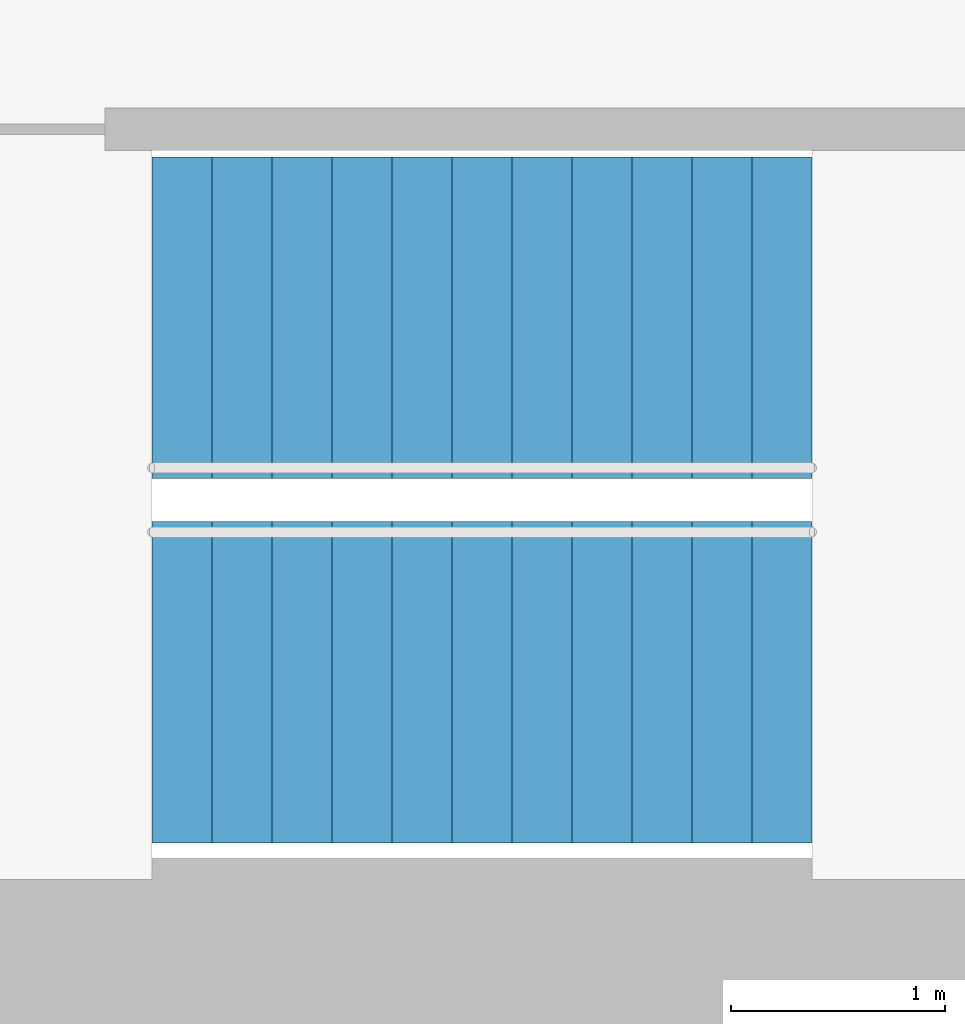
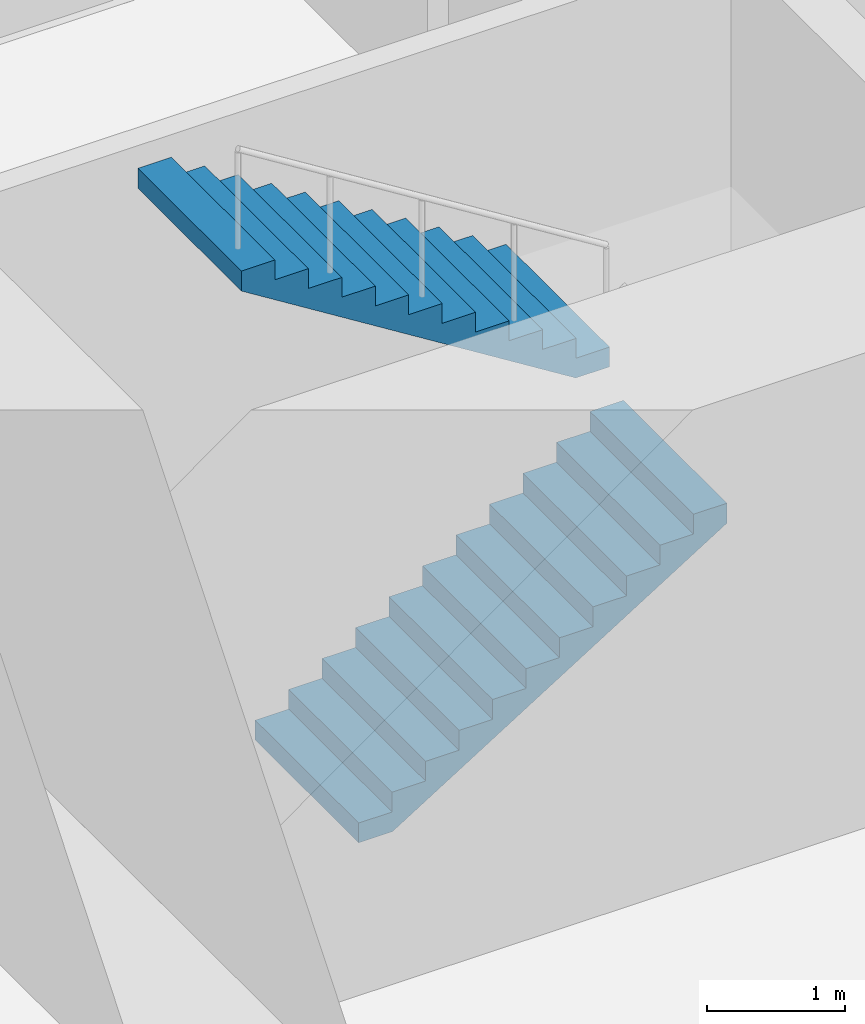
# One storey, part 15 of 17: 2 stair flights, 1 element without a shape of its own.
"""IFC4 building model written with IfcOpenShell, lengths in metres."""

from ifc_helpers import new_model, si_unit, direction, frame, origin, place, context, subcontext, project, spatial, triangles, material, type_object, element, aggregate, save


model = new_model("IFC4")

# Units and contexts
model_context = context("Model", 3, precision=1e-05, world=origin(), true_north=direction((0.0, 1.0)))
body_context = subcontext(model_context, "Body", "Model", "MODEL_VIEW")
ifc_project = project(units=[si_unit("LENGTHUNIT", "METRE"), si_unit("AREAUNIT", "SQUARE_METRE"), si_unit("VOLUMEUNIT", "CUBIC_METRE"), si_unit("PLANEANGLEUNIT", "RADIAN"), si_unit("MASSUNIT", "GRAM", prefix="KILO")], contexts=[model_context])

# Site, building, storey
site_placement = place(None, origin())
site = spatial("IfcSite", under=ifc_project, at=site_placement, CompositionType="ELEMENT")
building_placement = place(site_placement, origin())
building = spatial("IfcBuilding", under=site, at=building_placement, Name="Lantaw Convention Tower", CompositionType="ELEMENT")
storey_placement = place(building_placement, frame((0.0, 0.0, 155.199951171875)))
storey = spatial("IfcBuildingStorey", under=building, at=storey_placement, Name="L36", CompositionType="ELEMENT", Elevation=155.199951171875)

# Stair, stair flights
ifc_material = material(Name="Concrete C35/45", Category="concrete")
stair_type = type_object("IfcStairType", Name="Exit stair 1500 riser 175 in 2 flights", PredefinedType="HALF_TURN_STAIR", material=ifc_material)
stair_placement = place(storey_placement, origin())
stair = element("IfcStair", 1, at=stair_placement, inside=storey, type_object=stair_type, Name="Exit stair S1 L36", PredefinedType="HALF_TURN_STAIR")
stair_flight_type = type_object("IfcStairFlightType", Name="Stair flight 1500 riser 175", PredefinedType="STRAIGHT", material=ifc_material)
stair_flight_1_placement = place(storey_placement, frame((-10.580078125, -5.97998046875, 0.0), z_axis=(0.0, 0.0, 1.0), x_axis=(1.0, 0.0, 0.0)))
stair_flight_1 = element("IfcStairFlight", 2, at=stair_flight_1_placement, type_object=stair_flight_type, Name="S1 flight 1", NumberOfRisers=12, NumberOfTreads=11, PredefinedType="STRAIGHT", RiserHeight=0.175, TreadLength=0.28, context=body_context, shape_type="Tessellation", body=[
    triangles([(0.0, 0.75, 0.0), (0.0, 0.75, 0.175), (0.28, 0.75, 0.0), (0.28, 0.75, 0.175), (0.28, 0.75, 0.35), (0.28283517651771284, 0.75, 0.0), (0.28283517651771284, 0.75, 0.35), (0.56, 0.75, 0.17322801467642948), (0.56, 0.75, 0.35), (0.56, 0.75, 0.5249999999999999), (0.8400000000000001, 0.75, 0.34822801467642944), (0.8400000000000001, 0.75, 0.5249999999999999), (0.8400000000000001, 0.75, 0.7), (1.12, 0.75, 0.5232280146764294), (1.12, 0.75, 0.7), (1.12, 0.75, 0.875), (1.4000000000000001, 0.75, 0.6982280146764295), (1.4000000000000001, 0.75, 0.875), (1.4000000000000001, 0.75, 1.0499999999999998), (1.6800000000000002, 0.75, 0.8732280146764294), (1.6800000000000002, 0.75, 1.0499999999999998), (1.6800000000000002, 0.75, 1.2249999999999999), (1.9600000000000002, 0.75, 1.0482280146764293), (1.9600000000000002, 0.75, 1.2249999999999999), (1.9600000000000002, 0.75, 1.4), (2.24, 0.75, 1.2232280146764294), (2.24, 0.75, 1.4), (2.24, 0.75, 1.575), (2.5200000000000005, 0.75, 1.3982280146764294), (2.5200000000000005, 0.75, 1.575), (2.5200000000000005, 0.75, 1.75), (2.8000000000000003, 0.75, 1.5732280146764293), (2.8000000000000003, 0.75, 1.75), (2.8000000000000003, 0.75, 1.9249999999999998), (3.08, 0.75, 1.7482280146764293), (3.08, 0.75, 1.9249999999999998), (0.0, -0.75, 0.0), (0.0, -0.75, 0.175), (0.28, -0.75, 0.0), (0.28, -0.75, 0.175), (0.28, -0.75, 0.35), (0.28283517651771284, -0.75, 0.0), (0.28283517651771284, -0.75, 0.35), (0.56, -0.75, 0.17322801467642948), (0.56, -0.75, 0.35), (0.56, -0.75, 0.5249999999999999), (0.8400000000000001, -0.75, 0.34822801467642944), (0.8400000000000001, -0.75, 0.5249999999999999), (0.8400000000000001, -0.75, 0.7), (1.12, -0.75, 0.5232280146764294), (1.12, -0.75, 0.7), (1.12, -0.75, 0.875), (1.4000000000000001, -0.75, 0.6982280146764295), (1.4000000000000001, -0.75, 0.875), (1.4000000000000001, -0.75, 1.0499999999999998), (1.6800000000000002, -0.75, 0.8732280146764294), (1.6800000000000002, -0.75, 1.0499999999999998), (1.6800000000000002, -0.75, 1.2249999999999999), (1.9600000000000002, -0.75, 1.0482280146764293), (1.9600000000000002, -0.75, 1.2249999999999999), (1.9600000000000002, -0.75, 1.4), (2.24, -0.75, 1.2232280146764294), (2.24, -0.75, 1.4), (2.24, -0.75, 1.575), (2.5200000000000005, -0.75, 1.3982280146764294), (2.5200000000000005, -0.75, 1.575), (2.5200000000000005, -0.75, 1.75), (2.8000000000000003, -0.75, 1.5732280146764293), (2.8000000000000003, -0.75, 1.75), (2.8000000000000003, -0.75, 1.9249999999999998), (3.08, -0.75, 1.7482280146764293), (3.08, -0.75, 1.9249999999999998), (0.0, 0.15000000000000002, 0.175), (0.0, 0.15000000000000002, 0.0), (0.0, 0.0, 0.175), (0.0, 0.0, 0.0), (0.0, -0.15000000000000002, 0.175), (0.0, -0.15000000000000002, 0.0), (0.28, 0.15000000000000002, 0.35), (0.28, 0.15000000000000002, 0.175), (0.28, 0.0, 0.35), (0.28, 0.0, 0.175), (0.28, -0.15000000000000002, 0.35), (0.28, -0.15000000000000002, 0.175), (0.56, 0.15000000000000002, 0.5249999999999999), (0.56, 0.15000000000000002, 0.35), (0.56, 0.0, 0.5249999999999999), (0.56, 0.0, 0.35), (0.56, -0.15000000000000002, 0.5249999999999999), (0.56, -0.15000000000000002, 0.35), (0.8400000000000001, 0.15000000000000002, 0.7), (0.8400000000000001, 0.15000000000000002, 0.5249999999999999), (0.8400000000000001, 0.0, 0.7), (0.8400000000000001, 0.0, 0.5249999999999999), (0.8400000000000001, -0.15000000000000002, 0.7), (0.8400000000000001, -0.15000000000000002, 0.5249999999999999), (1.12, 0.15000000000000002, 0.875), (1.12, 0.15000000000000002, 0.7), (1.12, 0.0, 0.875), (1.12, 0.0, 0.7), (1.12, -0.15000000000000002, 0.875), (1.12, -0.15000000000000002, 0.7), (1.4000000000000001, 0.15000000000000002, 1.0499999999999998), (1.4000000000000001, 0.15000000000000002, 0.875), (1.4000000000000001, 0.0, 1.0499999999999998), (1.4000000000000001, 0.0, 0.875), (1.4000000000000001, -0.15000000000000002, 1.0499999999999998), (1.4000000000000001, -0.15000000000000002, 0.875), (1.6800000000000002, 0.15000000000000002, 1.2249999999999999), (1.6800000000000002, 0.15000000000000002, 1.0499999999999998), (1.6800000000000002, 0.0, 1.2249999999999999), (1.6800000000000002, 0.0, 1.0499999999999998), (1.6800000000000002, -0.15000000000000002, 1.2249999999999999), (1.6800000000000002, -0.15000000000000002, 1.0499999999999998), (1.9600000000000002, 0.15000000000000002, 1.4), (1.9600000000000002, 0.15000000000000002, 1.2249999999999999), (1.9600000000000002, 0.0, 1.4), (1.9600000000000002, 0.0, 1.2249999999999999), (1.9600000000000002, -0.15000000000000002, 1.4), (1.9600000000000002, -0.15000000000000002, 1.2249999999999999), (2.24, 0.15000000000000002, 1.575), (2.24, 0.15000000000000002, 1.4), (2.24, 0.0, 1.575), (2.24, 0.0, 1.4), (2.24, -0.15000000000000002, 1.575), (2.24, -0.15000000000000002, 1.4), (2.5200000000000005, 0.15000000000000002, 1.75), (2.5200000000000005, 0.15000000000000002, 1.575), (2.5200000000000005, 0.0, 1.75), (2.5200000000000005, 0.0, 1.575), (2.5200000000000005, -0.15000000000000002, 1.75), (2.5200000000000005, -0.15000000000000002, 1.575), (2.8000000000000003, 0.15000000000000002, 1.9249999999999998), (2.8000000000000003, 0.15000000000000002, 1.75), (2.8000000000000003, 0.0, 1.9249999999999998), (2.8000000000000003, 0.0, 1.75), (2.8000000000000003, -0.15000000000000002, 1.9249999999999998), (2.8000000000000003, -0.15000000000000002, 1.75), (0.28283517651771284, 0.15000000000000002, 0.35), (0.28283517651771284, 0.0, 0.35), (0.28283517651771284, -0.15000000000000002, 0.35), (3.08, 0.15000000000000002, 1.9249999999999998), (3.08, 0.0, 1.9249999999999998), (3.08, -0.15000000000000002, 1.9249999999999998), (3.08, 0.15000000000000002, 1.7482280146764293), (3.08, 0.0, 1.7482280146764293), (3.08, -0.15000000000000002, 1.7482280146764293), (2.8000000000000003, 0.15000000000000002, 1.5732280146764293), (2.8000000000000003, 0.0, 1.5732280146764293), (2.8000000000000003, -0.15000000000000002, 1.5732280146764293), (2.5200000000000005, 0.15000000000000002, 1.3982280146764294), (2.5200000000000005, 0.0, 1.3982280146764294), (2.5200000000000005, -0.15000000000000002, 1.3982280146764294), (2.24, 0.15000000000000002, 1.2232280146764294), (2.24, 0.0, 1.2232280146764294), (2.24, -0.15000000000000002, 1.2232280146764294), (1.9600000000000002, 0.15000000000000002, 1.0482280146764293), (1.9600000000000002, 0.0, 1.0482280146764293), (1.9600000000000002, -0.15000000000000002, 1.0482280146764293), (1.6800000000000002, 0.15000000000000002, 0.8732280146764294), (1.6800000000000002, 0.0, 0.8732280146764294), (1.6800000000000002, -0.15000000000000002, 0.8732280146764294), (1.4000000000000001, 0.15000000000000002, 0.6982280146764295), (1.4000000000000001, 0.0, 0.6982280146764295), (1.4000000000000001, -0.15000000000000002, 0.6982280146764295), (1.12, 0.15000000000000002, 0.5232280146764294), (1.12, 0.0, 0.5232280146764294), (1.12, -0.15000000000000002, 0.5232280146764294), (0.8400000000000001, 0.15000000000000002, 0.34822801467642944), (0.8400000000000001, 0.0, 0.34822801467642944), (0.8400000000000001, -0.15000000000000002, 0.34822801467642944), (0.56, 0.15000000000000002, 0.17322801467642948), (0.56, 0.0, 0.17322801467642948), (0.56, -0.15000000000000002, 0.17322801467642948), (0.28283517651771284, 0.15000000000000002, 0.0), (0.28283517651771284, 0.0, 0.0), (0.28283517651771284, -0.15000000000000002, 0.0), (0.28, 0.15000000000000002, 0.0), (0.28, 0.0, 0.0), (0.28, -0.15000000000000002, 0.0)], [[1, 4, 3], [1, 2, 4], [3, 4, 6], [4, 7, 6], [4, 5, 7], [6, 9, 8], [6, 7, 9], [8, 9, 11], [9, 12, 11], [9, 10, 12], [11, 12, 14], [12, 15, 14], [12, 13, 15], [14, 15, 17], [15, 18, 17], [15, 16, 18], [17, 18, 20], [18, 21, 20], [18, 19, 21], [20, 21, 23], [21, 24, 23], [21, 22, 24], [23, 24, 26], [24, 27, 26], [24, 25, 27], [26, 27, 29], [27, 30, 29], [27, 28, 30], [29, 30, 32], [30, 33, 32], [30, 31, 33], [32, 33, 35], [33, 36, 35], [33, 34, 36], [37, 39, 40], [37, 40, 38], [39, 42, 40], [40, 42, 43], [40, 43, 41], [42, 44, 45], [42, 45, 43], [44, 47, 45], [45, 47, 48], [45, 48, 46], [47, 50, 48], [48, 50, 51], [48, 51, 49], [50, 53, 51], [51, 53, 54], [51, 54, 52], [53, 56, 54], [54, 56, 57], [54, 57, 55], [56, 59, 57], [57, 59, 60], [57, 60, 58], [59, 62, 60], [60, 62, 63], [60, 63, 61], [62, 65, 63], [63, 65, 66], [63, 66, 64], [65, 68, 66], [66, 68, 69], [66, 69, 67], [68, 71, 69], [69, 71, 72], [69, 72, 70], [1, 73, 2], [1, 74, 73], [74, 75, 73], [74, 76, 75], [76, 77, 75], [76, 78, 77], [78, 38, 77], [78, 37, 38], [4, 79, 5], [4, 80, 79], [80, 81, 79], [80, 82, 81], [82, 83, 81], [82, 84, 83], [84, 41, 83], [84, 40, 41], [9, 85, 10], [9, 86, 85], [86, 87, 85], [86, 88, 87], [88, 89, 87], [88, 90, 89], [90, 46, 89], [90, 45, 46], [12, 91, 13], [12, 92, 91], [92, 93, 91], [92, 94, 93], [94, 95, 93], [94, 96, 95], [96, 49, 95], [96, 48, 49], [15, 97, 16], [15, 98, 97], [98, 99, 97], [98, 100, 99], [100, 101, 99], [100, 102, 101], [102, 52, 101], [102, 51, 52], [18, 103, 19], [18, 104, 103], [104, 105, 103], [104, 106, 105], [106, 107, 105], [106, 108, 107], [108, 55, 107], [108, 54, 55], [21, 109, 22], [21, 110, 109], [110, 111, 109], [110, 112, 111], [112, 113, 111], [112, 114, 113], [114, 58, 113], [114, 57, 58], [24, 115, 25], [24, 116, 115], [116, 117, 115], [116, 118, 117], [118, 119, 117], [118, 120, 119], [120, 61, 119], [120, 60, 61], [27, 121, 28], [27, 122, 121], [122, 123, 121], [122, 124, 123], [124, 125, 123], [124, 126, 125], [126, 64, 125], [126, 63, 64], [30, 127, 31], [30, 128, 127], [128, 129, 127], [128, 130, 129], [130, 131, 129], [130, 132, 131], [132, 67, 131], [132, 66, 67], [33, 133, 34], [33, 134, 133], [134, 135, 133], [134, 136, 135], [136, 137, 135], [136, 138, 137], [138, 70, 137], [138, 69, 70], [2, 80, 4], [2, 73, 80], [73, 82, 80], [73, 75, 82], [75, 84, 82], [75, 77, 84], [77, 40, 84], [77, 38, 40], [5, 139, 7], [5, 79, 139], [79, 140, 139], [79, 81, 140], [81, 141, 140], [81, 83, 141], [83, 43, 141], [83, 41, 43], [7, 86, 9], [7, 139, 86], [139, 88, 86], [139, 140, 88], [140, 90, 88], [140, 141, 90], [141, 45, 90], [141, 43, 45], [10, 92, 12], [10, 85, 92], [85, 94, 92], [85, 87, 94], [87, 96, 94], [87, 89, 96], [89, 48, 96], [89, 46, 48], [13, 98, 15], [13, 91, 98], [91, 100, 98], [91, 93, 100], [93, 102, 100], [93, 95, 102], [95, 51, 102], [95, 49, 51], [16, 104, 18], [16, 97, 104], [97, 106, 104], [97, 99, 106], [99, 108, 106], [99, 101, 108], [101, 54, 108], [101, 52, 54], [19, 110, 21], [19, 103, 110], [103, 112, 110], [103, 105, 112], [105, 114, 112], [105, 107, 114], [107, 57, 114], [107, 55, 57], [22, 116, 24], [22, 109, 116], [109, 118, 116], [109, 111, 118], [111, 120, 118], [111, 113, 120], [113, 60, 120], [113, 58, 60], [25, 122, 27], [25, 115, 122], [115, 124, 122], [115, 117, 124], [117, 126, 124], [117, 119, 126], [119, 63, 126], [119, 61, 63], [28, 128, 30], [28, 121, 128], [121, 130, 128], [121, 123, 130], [123, 132, 130], [123, 125, 132], [125, 66, 132], [125, 64, 66], [31, 134, 33], [31, 127, 134], [127, 136, 134], [127, 129, 136], [129, 138, 136], [129, 131, 138], [131, 69, 138], [131, 67, 69], [34, 142, 36], [34, 133, 142], [133, 143, 142], [133, 135, 143], [135, 144, 143], [135, 137, 144], [137, 72, 144], [137, 70, 72], [36, 145, 35], [36, 142, 145], [142, 146, 145], [142, 143, 146], [143, 147, 146], [143, 144, 147], [144, 71, 147], [144, 72, 71], [35, 148, 32], [35, 145, 148], [145, 149, 148], [145, 146, 149], [146, 150, 149], [146, 147, 150], [147, 68, 150], [147, 71, 68], [32, 151, 29], [32, 148, 151], [148, 152, 151], [148, 149, 152], [149, 153, 152], [149, 150, 153], [150, 65, 153], [150, 68, 65], [29, 154, 26], [29, 151, 154], [151, 155, 154], [151, 152, 155], [152, 156, 155], [152, 153, 156], [153, 62, 156], [153, 65, 62], [26, 157, 23], [26, 154, 157], [154, 158, 157], [154, 155, 158], [155, 159, 158], [155, 156, 159], [156, 59, 159], [156, 62, 59], [23, 160, 20], [23, 157, 160], [157, 161, 160], [157, 158, 161], [158, 162, 161], [158, 159, 162], [159, 56, 162], [159, 59, 56], [20, 163, 17], [20, 160, 163], [160, 164, 163], [160, 161, 164], [161, 165, 164], [161, 162, 165], [162, 53, 165], [162, 56, 53], [17, 166, 14], [17, 163, 166], [163, 167, 166], [163, 164, 167], [164, 168, 167], [164, 165, 168], [165, 50, 168], [165, 53, 50], [14, 169, 11], [14, 166, 169], [166, 170, 169], [166, 167, 170], [167, 171, 170], [167, 168, 171], [168, 47, 171], [168, 50, 47], [11, 172, 8], [11, 169, 172], [169, 173, 172], [169, 170, 173], [170, 174, 173], [170, 171, 174], [171, 44, 174], [171, 47, 44], [8, 175, 6], [8, 172, 175], [172, 176, 175], [172, 173, 176], [173, 177, 176], [173, 174, 177], [174, 42, 177], [174, 44, 42], [6, 178, 3], [6, 175, 178], [175, 179, 178], [175, 176, 179], [176, 180, 179], [176, 177, 180], [177, 39, 180], [177, 42, 39], [3, 74, 1], [3, 178, 74], [178, 76, 74], [178, 179, 76], [179, 78, 76], [179, 180, 78], [180, 37, 78], [180, 39, 37]], closed=True),
])
stair_flight_2_placement = place(storey_placement, frame((-7.5, -4.280029296875, 2.10009765625), z_axis=(0.0, 0.0, 1.0), x_axis=(-1.0, 0.0, 0.0)))
stair_flight_2 = element("IfcStairFlight", 3, at=stair_flight_2_placement, type_object=stair_flight_type, Name="S1 flight 2", NumberOfRisers=12, NumberOfTreads=11, PredefinedType="STRAIGHT", RiserHeight=0.175, TreadLength=0.28, context=body_context, shape_type="Tessellation", body=[
    triangles([(0.0, 0.75, 0.0), (0.0, 0.75, 0.175), (0.28, 0.75, 0.0), (0.28, 0.75, 0.175), (0.28, 0.75, 0.35), (0.28283517651771284, 0.75, 0.0), (0.28283517651771284, 0.75, 0.35), (0.56, 0.75, 0.17322801467642948), (0.56, 0.75, 0.35), (0.56, 0.75, 0.5249999999999999), (0.8400000000000001, 0.75, 0.34822801467642944), (0.8400000000000001, 0.75, 0.5249999999999999), (0.8400000000000001, 0.75, 0.7), (1.12, 0.75, 0.5232280146764294), (1.12, 0.75, 0.7), (1.12, 0.75, 0.875), (1.4000000000000001, 0.75, 0.6982280146764295), (1.4000000000000001, 0.75, 0.875), (1.4000000000000001, 0.75, 1.0499999999999998), (1.6800000000000002, 0.75, 0.8732280146764294), (1.6800000000000002, 0.75, 1.0499999999999998), (1.6800000000000002, 0.75, 1.2249999999999999), (1.9600000000000002, 0.75, 1.0482280146764293), (1.9600000000000002, 0.75, 1.2249999999999999), (1.9600000000000002, 0.75, 1.4), (2.24, 0.75, 1.2232280146764294), (2.24, 0.75, 1.4), (2.24, 0.75, 1.575), (2.5200000000000005, 0.75, 1.3982280146764294), (2.5200000000000005, 0.75, 1.575), (2.5200000000000005, 0.75, 1.75), (2.8000000000000003, 0.75, 1.5732280146764293), (2.8000000000000003, 0.75, 1.75), (2.8000000000000003, 0.75, 1.9249999999999998), (3.08, 0.75, 1.7482280146764293), (3.08, 0.75, 1.9249999999999998), (0.0, -0.75, 0.0), (0.0, -0.75, 0.175), (0.28, -0.75, 0.0), (0.28, -0.75, 0.175), (0.28, -0.75, 0.35), (0.28283517651771284, -0.75, 0.0), (0.28283517651771284, -0.75, 0.35), (0.56, -0.75, 0.17322801467642948), (0.56, -0.75, 0.35), (0.56, -0.75, 0.5249999999999999), (0.8400000000000001, -0.75, 0.34822801467642944), (0.8400000000000001, -0.75, 0.5249999999999999), (0.8400000000000001, -0.75, 0.7), (1.12, -0.75, 0.5232280146764294), (1.12, -0.75, 0.7), (1.12, -0.75, 0.875), (1.4000000000000001, -0.75, 0.6982280146764295), (1.4000000000000001, -0.75, 0.875), (1.4000000000000001, -0.75, 1.0499999999999998), (1.6800000000000002, -0.75, 0.8732280146764294), (1.6800000000000002, -0.75, 1.0499999999999998), (1.6800000000000002, -0.75, 1.2249999999999999), (1.9600000000000002, -0.75, 1.0482280146764293), (1.9600000000000002, -0.75, 1.2249999999999999), (1.9600000000000002, -0.75, 1.4), (2.24, -0.75, 1.2232280146764294), (2.24, -0.75, 1.4), (2.24, -0.75, 1.575), (2.5200000000000005, -0.75, 1.3982280146764294), (2.5200000000000005, -0.75, 1.575), (2.5200000000000005, -0.75, 1.75), (2.8000000000000003, -0.75, 1.5732280146764293), (2.8000000000000003, -0.75, 1.75), (2.8000000000000003, -0.75, 1.9249999999999998), (3.08, -0.75, 1.7482280146764293), (3.08, -0.75, 1.9249999999999998), (0.0, 0.15000000000000002, 0.175), (0.0, 0.15000000000000002, 0.0), (0.0, 0.0, 0.175), (0.0, 0.0, 0.0), (0.0, -0.15000000000000002, 0.175), (0.0, -0.15000000000000002, 0.0), (0.28, 0.15000000000000002, 0.35), (0.28, 0.15000000000000002, 0.175), (0.28, 0.0, 0.35), (0.28, 0.0, 0.175), (0.28, -0.15000000000000002, 0.35), (0.28, -0.15000000000000002, 0.175), (0.56, 0.15000000000000002, 0.5249999999999999), (0.56, 0.15000000000000002, 0.35), (0.56, 0.0, 0.5249999999999999), (0.56, 0.0, 0.35), (0.56, -0.15000000000000002, 0.5249999999999999), (0.56, -0.15000000000000002, 0.35), (0.8400000000000001, 0.15000000000000002, 0.7), (0.8400000000000001, 0.15000000000000002, 0.5249999999999999), (0.8400000000000001, 0.0, 0.7), (0.8400000000000001, 0.0, 0.5249999999999999), (0.8400000000000001, -0.15000000000000002, 0.7), (0.8400000000000001, -0.15000000000000002, 0.5249999999999999), (1.12, 0.15000000000000002, 0.875), (1.12, 0.15000000000000002, 0.7), (1.12, 0.0, 0.875), (1.12, 0.0, 0.7), (1.12, -0.15000000000000002, 0.875), (1.12, -0.15000000000000002, 0.7), (1.4000000000000001, 0.15000000000000002, 1.0499999999999998), (1.4000000000000001, 0.15000000000000002, 0.875), (1.4000000000000001, 0.0, 1.0499999999999998), (1.4000000000000001, 0.0, 0.875), (1.4000000000000001, -0.15000000000000002, 1.0499999999999998), (1.4000000000000001, -0.15000000000000002, 0.875), (1.6800000000000002, 0.15000000000000002, 1.2249999999999999), (1.6800000000000002, 0.15000000000000002, 1.0499999999999998), (1.6800000000000002, 0.0, 1.2249999999999999), (1.6800000000000002, 0.0, 1.0499999999999998), (1.6800000000000002, -0.15000000000000002, 1.2249999999999999), (1.6800000000000002, -0.15000000000000002, 1.0499999999999998), (1.9600000000000002, 0.15000000000000002, 1.4), (1.9600000000000002, 0.15000000000000002, 1.2249999999999999), (1.9600000000000002, 0.0, 1.4), (1.9600000000000002, 0.0, 1.2249999999999999), (1.9600000000000002, -0.15000000000000002, 1.4), (1.9600000000000002, -0.15000000000000002, 1.2249999999999999), (2.24, 0.15000000000000002, 1.575), (2.24, 0.15000000000000002, 1.4), (2.24, 0.0, 1.575), (2.24, 0.0, 1.4), (2.24, -0.15000000000000002, 1.575), (2.24, -0.15000000000000002, 1.4), (2.5200000000000005, 0.15000000000000002, 1.75), (2.5200000000000005, 0.15000000000000002, 1.575), (2.5200000000000005, 0.0, 1.75), (2.5200000000000005, 0.0, 1.575), (2.5200000000000005, -0.15000000000000002, 1.75), (2.5200000000000005, -0.15000000000000002, 1.575), (2.8000000000000003, 0.15000000000000002, 1.9249999999999998), (2.8000000000000003, 0.15000000000000002, 1.75), (2.8000000000000003, 0.0, 1.9249999999999998), (2.8000000000000003, 0.0, 1.75), (2.8000000000000003, -0.15000000000000002, 1.9249999999999998), (2.8000000000000003, -0.15000000000000002, 1.75), (0.28283517651771284, 0.15000000000000002, 0.35), (0.28283517651771284, 0.0, 0.35), (0.28283517651771284, -0.15000000000000002, 0.35), (3.08, 0.15000000000000002, 1.9249999999999998), (3.08, 0.0, 1.9249999999999998), (3.08, -0.15000000000000002, 1.9249999999999998), (3.08, 0.15000000000000002, 1.7482280146764293), (3.08, 0.0, 1.7482280146764293), (3.08, -0.15000000000000002, 1.7482280146764293), (2.8000000000000003, 0.15000000000000002, 1.5732280146764293), (2.8000000000000003, 0.0, 1.5732280146764293), (2.8000000000000003, -0.15000000000000002, 1.5732280146764293), (2.5200000000000005, 0.15000000000000002, 1.3982280146764294), (2.5200000000000005, 0.0, 1.3982280146764294), (2.5200000000000005, -0.15000000000000002, 1.3982280146764294), (2.24, 0.15000000000000002, 1.2232280146764294), (2.24, 0.0, 1.2232280146764294), (2.24, -0.15000000000000002, 1.2232280146764294), (1.9600000000000002, 0.15000000000000002, 1.0482280146764293), (1.9600000000000002, 0.0, 1.0482280146764293), (1.9600000000000002, -0.15000000000000002, 1.0482280146764293), (1.6800000000000002, 0.15000000000000002, 0.8732280146764294), (1.6800000000000002, 0.0, 0.8732280146764294), (1.6800000000000002, -0.15000000000000002, 0.8732280146764294), (1.4000000000000001, 0.15000000000000002, 0.6982280146764295), (1.4000000000000001, 0.0, 0.6982280146764295), (1.4000000000000001, -0.15000000000000002, 0.6982280146764295), (1.12, 0.15000000000000002, 0.5232280146764294), (1.12, 0.0, 0.5232280146764294), (1.12, -0.15000000000000002, 0.5232280146764294), (0.8400000000000001, 0.15000000000000002, 0.34822801467642944), (0.8400000000000001, 0.0, 0.34822801467642944), (0.8400000000000001, -0.15000000000000002, 0.34822801467642944), (0.56, 0.15000000000000002, 0.17322801467642948), (0.56, 0.0, 0.17322801467642948), (0.56, -0.15000000000000002, 0.17322801467642948), (0.28283517651771284, 0.15000000000000002, 0.0), (0.28283517651771284, 0.0, 0.0), (0.28283517651771284, -0.15000000000000002, 0.0), (0.28, 0.15000000000000002, 0.0), (0.28, 0.0, 0.0), (0.28, -0.15000000000000002, 0.0)], [[1, 4, 3], [1, 2, 4], [3, 4, 6], [4, 7, 6], [4, 5, 7], [6, 9, 8], [6, 7, 9], [8, 9, 11], [9, 12, 11], [9, 10, 12], [11, 12, 14], [12, 15, 14], [12, 13, 15], [14, 15, 17], [15, 18, 17], [15, 16, 18], [17, 18, 20], [18, 21, 20], [18, 19, 21], [20, 21, 23], [21, 24, 23], [21, 22, 24], [23, 24, 26], [24, 27, 26], [24, 25, 27], [26, 27, 29], [27, 30, 29], [27, 28, 30], [29, 30, 32], [30, 33, 32], [30, 31, 33], [32, 33, 35], [33, 36, 35], [33, 34, 36], [37, 39, 40], [37, 40, 38], [39, 42, 40], [40, 42, 43], [40, 43, 41], [42, 44, 45], [42, 45, 43], [44, 47, 45], [45, 47, 48], [45, 48, 46], [47, 50, 48], [48, 50, 51], [48, 51, 49], [50, 53, 51], [51, 53, 54], [51, 54, 52], [53, 56, 54], [54, 56, 57], [54, 57, 55], [56, 59, 57], [57, 59, 60], [57, 60, 58], [59, 62, 60], [60, 62, 63], [60, 63, 61], [62, 65, 63], [63, 65, 66], [63, 66, 64], [65, 68, 66], [66, 68, 69], [66, 69, 67], [68, 71, 69], [69, 71, 72], [69, 72, 70], [1, 73, 2], [1, 74, 73], [74, 75, 73], [74, 76, 75], [76, 77, 75], [76, 78, 77], [78, 38, 77], [78, 37, 38], [4, 79, 5], [4, 80, 79], [80, 81, 79], [80, 82, 81], [82, 83, 81], [82, 84, 83], [84, 41, 83], [84, 40, 41], [9, 85, 10], [9, 86, 85], [86, 87, 85], [86, 88, 87], [88, 89, 87], [88, 90, 89], [90, 46, 89], [90, 45, 46], [12, 91, 13], [12, 92, 91], [92, 93, 91], [92, 94, 93], [94, 95, 93], [94, 96, 95], [96, 49, 95], [96, 48, 49], [15, 97, 16], [15, 98, 97], [98, 99, 97], [98, 100, 99], [100, 101, 99], [100, 102, 101], [102, 52, 101], [102, 51, 52], [18, 103, 19], [18, 104, 103], [104, 105, 103], [104, 106, 105], [106, 107, 105], [106, 108, 107], [108, 55, 107], [108, 54, 55], [21, 109, 22], [21, 110, 109], [110, 111, 109], [110, 112, 111], [112, 113, 111], [112, 114, 113], [114, 58, 113], [114, 57, 58], [24, 115, 25], [24, 116, 115], [116, 117, 115], [116, 118, 117], [118, 119, 117], [118, 120, 119], [120, 61, 119], [120, 60, 61], [27, 121, 28], [27, 122, 121], [122, 123, 121], [122, 124, 123], [124, 125, 123], [124, 126, 125], [126, 64, 125], [126, 63, 64], [30, 127, 31], [30, 128, 127], [128, 129, 127], [128, 130, 129], [130, 131, 129], [130, 132, 131], [132, 67, 131], [132, 66, 67], [33, 133, 34], [33, 134, 133], [134, 135, 133], [134, 136, 135], [136, 137, 135], [136, 138, 137], [138, 70, 137], [138, 69, 70], [2, 80, 4], [2, 73, 80], [73, 82, 80], [73, 75, 82], [75, 84, 82], [75, 77, 84], [77, 40, 84], [77, 38, 40], [5, 139, 7], [5, 79, 139], [79, 140, 139], [79, 81, 140], [81, 141, 140], [81, 83, 141], [83, 43, 141], [83, 41, 43], [7, 86, 9], [7, 139, 86], [139, 88, 86], [139, 140, 88], [140, 90, 88], [140, 141, 90], [141, 45, 90], [141, 43, 45], [10, 92, 12], [10, 85, 92], [85, 94, 92], [85, 87, 94], [87, 96, 94], [87, 89, 96], [89, 48, 96], [89, 46, 48], [13, 98, 15], [13, 91, 98], [91, 100, 98], [91, 93, 100], [93, 102, 100], [93, 95, 102], [95, 51, 102], [95, 49, 51], [16, 104, 18], [16, 97, 104], [97, 106, 104], [97, 99, 106], [99, 108, 106], [99, 101, 108], [101, 54, 108], [101, 52, 54], [19, 110, 21], [19, 103, 110], [103, 112, 110], [103, 105, 112], [105, 114, 112], [105, 107, 114], [107, 57, 114], [107, 55, 57], [22, 116, 24], [22, 109, 116], [109, 118, 116], [109, 111, 118], [111, 120, 118], [111, 113, 120], [113, 60, 120], [113, 58, 60], [25, 122, 27], [25, 115, 122], [115, 124, 122], [115, 117, 124], [117, 126, 124], [117, 119, 126], [119, 63, 126], [119, 61, 63], [28, 128, 30], [28, 121, 128], [121, 130, 128], [121, 123, 130], [123, 132, 130], [123, 125, 132], [125, 66, 132], [125, 64, 66], [31, 134, 33], [31, 127, 134], [127, 136, 134], [127, 129, 136], [129, 138, 136], [129, 131, 138], [131, 69, 138], [131, 67, 69], [34, 142, 36], [34, 133, 142], [133, 143, 142], [133, 135, 143], [135, 144, 143], [135, 137, 144], [137, 72, 144], [137, 70, 72], [36, 145, 35], [36, 142, 145], [142, 146, 145], [142, 143, 146], [143, 147, 146], [143, 144, 147], [144, 71, 147], [144, 72, 71], [35, 148, 32], [35, 145, 148], [145, 149, 148], [145, 146, 149], [146, 150, 149], [146, 147, 150], [147, 68, 150], [147, 71, 68], [32, 151, 29], [32, 148, 151], [148, 152, 151], [148, 149, 152], [149, 153, 152], [149, 150, 153], [150, 65, 153], [150, 68, 65], [29, 154, 26], [29, 151, 154], [151, 155, 154], [151, 152, 155], [152, 156, 155], [152, 153, 156], [153, 62, 156], [153, 65, 62], [26, 157, 23], [26, 154, 157], [154, 158, 157], [154, 155, 158], [155, 159, 158], [155, 156, 159], [156, 59, 159], [156, 62, 59], [23, 160, 20], [23, 157, 160], [157, 161, 160], [157, 158, 161], [158, 162, 161], [158, 159, 162], [159, 56, 162], [159, 59, 56], [20, 163, 17], [20, 160, 163], [160, 164, 163], [160, 161, 164], [161, 165, 164], [161, 162, 165], [162, 53, 165], [162, 56, 53], [17, 166, 14], [17, 163, 166], [163, 167, 166], [163, 164, 167], [164, 168, 167], [164, 165, 168], [165, 50, 168], [165, 53, 50], [14, 169, 11], [14, 166, 169], [166, 170, 169], [166, 167, 170], [167, 171, 170], [167, 168, 171], [168, 47, 171], [168, 50, 47], [11, 172, 8], [11, 169, 172], [169, 173, 172], [169, 170, 173], [170, 174, 173], [170, 171, 174], [171, 44, 174], [171, 47, 44], [8, 175, 6], [8, 172, 175], [172, 176, 175], [172, 173, 176], [173, 177, 176], [173, 174, 177], [174, 42, 177], [174, 44, 42], [6, 178, 3], [6, 175, 178], [175, 179, 178], [175, 176, 179], [176, 180, 179], [176, 177, 180], [177, 39, 180], [177, 42, 39], [3, 74, 1], [3, 178, 74], [178, 76, 74], [178, 179, 76], [179, 78, 76], [179, 180, 78], [180, 37, 78], [180, 39, 37]], closed=True),
])
aggregate(stair, [stair_flight_1, stair_flight_2])

save(model, "model.ifc")
